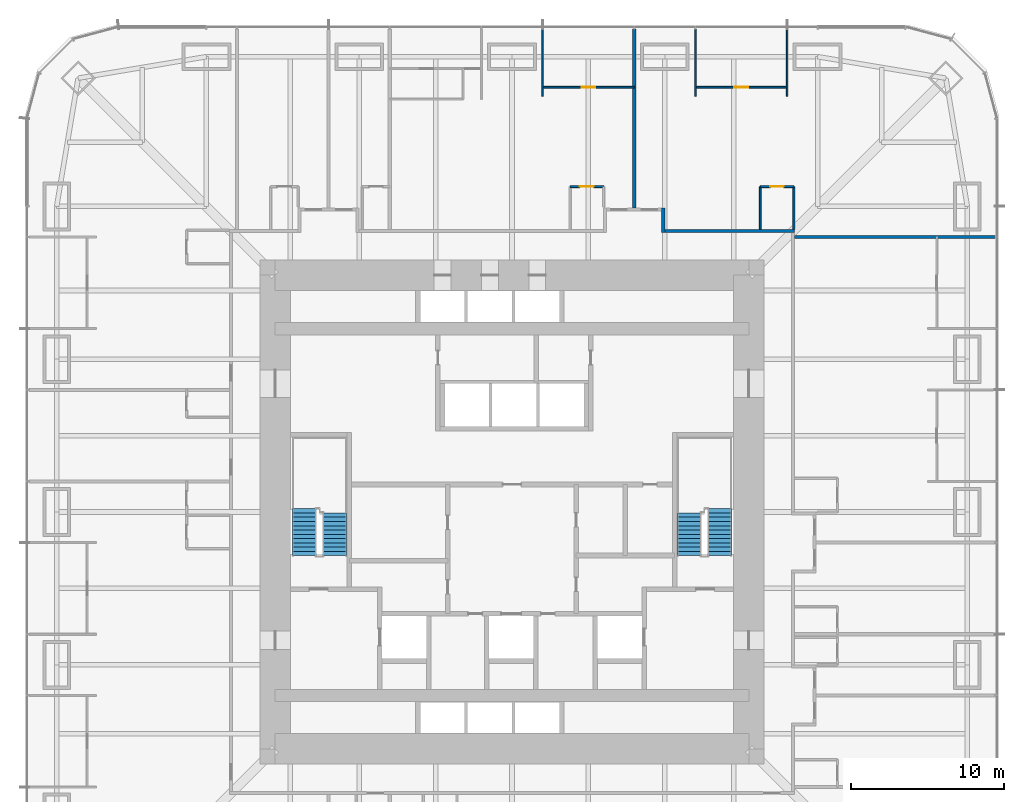
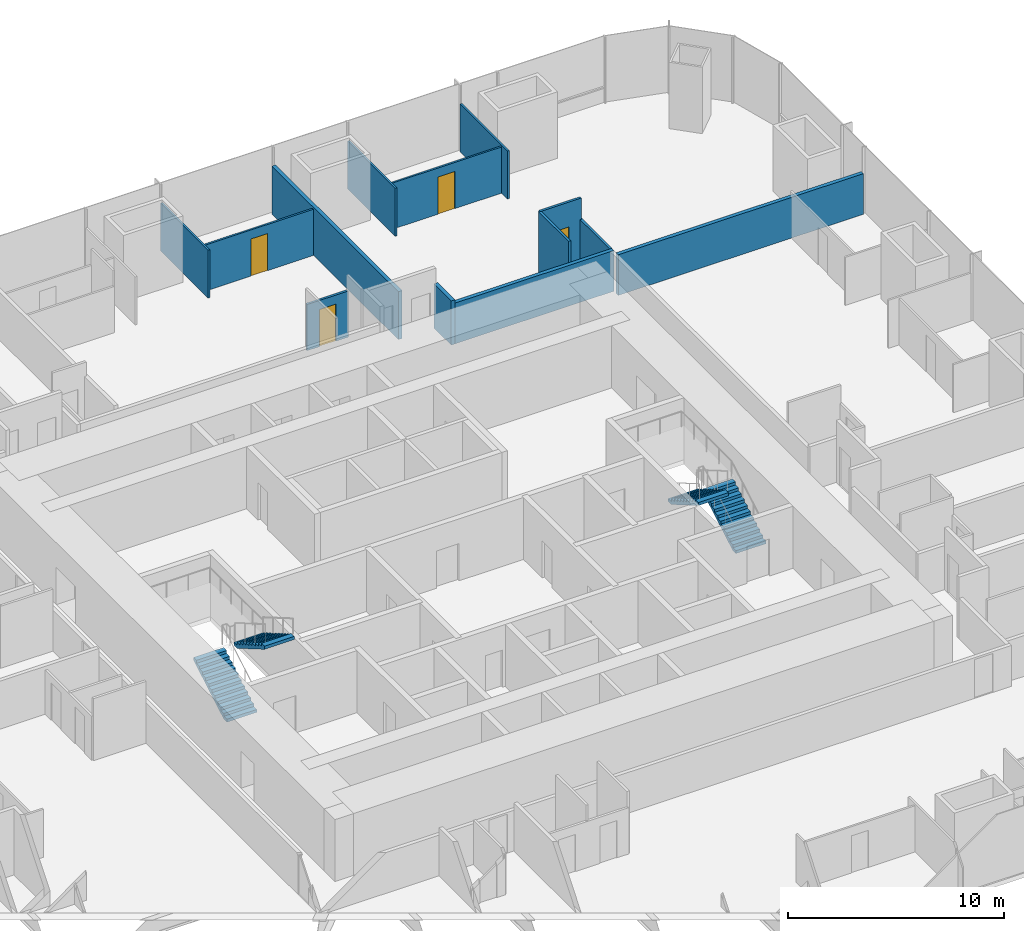
# One storey, part 16 of 17: 13 walls, 4 doors, 4 stair flights, 4 openings, 2 elements without a shape of their own.
"""IFC4 building model written with IfcOpenShell, lengths in metres."""

from ifc_helpers import new_model, si_unit, direction, frame, frame_2d, origin, place, context, subcontext, project, spatial, polyline, rectangle, outline, extrude, material, layer, layer_set, type_object, element, fill, aggregate, save


model = new_model("IFC4")

# Units and contexts
model_context = context("Model", 3, precision=1e-05, world=origin(), true_north=direction((0.0, 1.0)))
body_context = subcontext(model_context, "Body", "Model", "MODEL_VIEW")
ifc_project = project(units=[si_unit("LENGTHUNIT", "METRE"), si_unit("AREAUNIT", "SQUARE_METRE"), si_unit("VOLUMEUNIT", "CUBIC_METRE"), si_unit("PLANEANGLEUNIT", "RADIAN"), si_unit("MASSUNIT", "GRAM", prefix="KILO")], contexts=[model_context])

# Site, building, storey
site_placement = place(None, origin())
site = spatial("IfcSite", under=ifc_project, at=site_placement, CompositionType="ELEMENT")
building_placement = place(site_placement, origin())
building = spatial("IfcBuilding", under=site, at=building_placement, Name="Khuree Lantern Residences", CompositionType="ELEMENT")
storey_placement = place(building_placement, frame((0.0, 0.0, 36.0)))
storey = spatial("IfcBuildingStorey", under=building, at=storey_placement, Name="L08", CompositionType="ELEMENT", Elevation=36.0)

# Wall, opening, door
ifc_material_1 = material(Name="Moisture-resistant gypsum board on steel studs", Category="steel")
ifc_layer_1 = layer(ifc_material_1, 0.125)
ifc_layer_set_1 = layer_set([ifc_layer_1], Name="BATHROOM WALL BTW125")
wall_type_1 = type_object("IfcWallType", Name="BATHROOM WALL BTW125", PredefinedType="PARTITIONING", material=ifc_layer_set_1)
wall_1_placement = place(storey_placement, frame((18.449951171875, 21.300048828125, 0.0), z_axis=(0.0, 0.0, 1.0), x_axis=(-1.0, 0.0, 0.0)))
wall_1 = element("IfcWall", 1, at=wall_1_placement, inside=storey, type_object=wall_type_1, Name="L08 BATHROOM WALL 03", PredefinedType="PARTITIONING", context=body_context, shape_type="SweptSolid", body=[
    extrude(rectangle(XDim=2.199951171875, YDim=0.125, at=frame_2d((1.10009765625, 0.0))), origin(), (0.0, 0.0, 1.0), 3.5),
])
opening_1_placement = place(wall_1_placement, frame((0.64990234375, 0.0, 0.0)))
opening_1 = element("IfcOpeningElement", 2, at=opening_1_placement, cuts=wall_1, Name="Opening 08-030", PredefinedType="OPENING", context=body_context, shape_type="SweptSolid", body=[
    extrude(rectangle(XDim=0.89990234375, YDim=2.10009765625, at=frame_2d((0.449951171875, 1.050048828125))), frame((0.0, 0.072509765625, 0.0), z_axis=(0.0, -1.0, 0.0), x_axis=(1.0, 0.0, 0.0)), (0.0, 0.0, 1.0), 0.14501953125),
])
ifc_material_2 = material(Name="Timber door leaf in hardwood frame", Category="wood")
door_type_1 = type_object("IfcDoorType", Name="BATHROOM DOOR 900X2100", OperationType="SINGLE_SWING_LEFT", PredefinedType="DOOR", material=ifc_material_2)
door_1_placement = place(opening_1_placement, origin())
door_1 = element("IfcDoor", 3, at=door_1_placement, inside=storey, type_object=door_type_1, Name="Bathroom door 08-030", OperationType="SINGLE_SWING_LEFT", OverallHeight=2.10009765625, OverallWidth=0.89990234375, PredefinedType="DOOR", context=body_context, shape_type="SweptSolid", body=[
    extrude(rectangle(XDim=0.89990234375, YDim=2.10009765625, at=frame_2d((0.449951171875, 1.050048828125))), frame((0.0, 0.02490234375, 0.0), z_axis=(0.0, -1.0, 0.0), x_axis=(1.0, 0.0, 0.0)), (0.0, 0.0, 1.0), 0.050048828125),
])
fill(opening_1, door_1)

# Walls
wall_2_placement = place(storey_placement, frame((18.449951171875, 18.5, 0.0), z_axis=(0.0, 0.0, 1.0), x_axis=(0.0, 1.0, 0.0)))
element("IfcWall", 4, at=wall_2_placement, inside=storey, type_object=wall_type_1, Name="L08 BATHROOM WALL 03", PredefinedType="PARTITIONING", context=body_context, shape_type="SweptSolid", body=[
    extrude(rectangle(XDim=2.800048828125, YDim=0.125, at=frame_2d((1.39990234375, 0.0))), origin(), (0.0, 0.0, 1.0), 2.300048828125),
])
wall_3_placement = place(storey_placement, frame((16.25, 18.5, 0.0), z_axis=(0.0, 0.0, 1.0), x_axis=(0.0, 1.0, 0.0)))
element("IfcWall", 5, at=wall_3_placement, inside=storey, type_object=wall_type_1, Name="L08 BATHROOM WALL 03", PredefinedType="PARTITIONING", context=body_context, shape_type="SweptSolid", body=[
    extrude(rectangle(XDim=2.800048828125, YDim=0.125, at=frame_2d((1.39990234375, 0.0))), origin(), (0.0, 0.0, 1.0), 3.5),
])

# Wall, opening, door
wall_4_placement = place(storey_placement, frame((6.0, 21.300048828125, 0.0), z_axis=(0.0, 0.0, 1.0), x_axis=(-1.0, 0.0, 0.0)))
wall_4 = element("IfcWall", 6, at=wall_4_placement, inside=storey, type_object=wall_type_1, Name="L08 BATHROOM WALL 04", PredefinedType="PARTITIONING", context=body_context, shape_type="SweptSolid", body=[
    extrude(rectangle(XDim=2.199951171875, YDim=0.125, at=frame_2d((1.10009765625, 0.0))), origin(), (0.0, 0.0, 1.0), 2.610107421875),
])
opening_2_placement = place(wall_4_placement, frame((0.64990234375, 0.0, 0.0)))
opening_2 = element("IfcOpeningElement", 7, at=opening_2_placement, cuts=wall_4, Name="Opening 08-035", PredefinedType="OPENING", context=body_context, shape_type="SweptSolid", body=[
    extrude(rectangle(XDim=0.89990234375, YDim=2.10009765625, at=frame_2d((0.449951171875, 1.050048828125))), frame((0.0, 0.072509765625, 0.0), z_axis=(0.0, -1.0, 0.0), x_axis=(1.0, 0.0, 0.0)), (0.0, 0.0, 1.0), 0.14501953125),
])
door_2_placement = place(opening_2_placement, origin())
door_2 = element("IfcDoor", 8, at=door_2_placement, inside=storey, type_object=door_type_1, Name="Bathroom door 08-035", OperationType="SINGLE_SWING_LEFT", OverallHeight=2.10009765625, OverallWidth=0.89990234375, PredefinedType="DOOR", context=body_context, shape_type="SweptSolid", body=[
    extrude(rectangle(XDim=0.89990234375, YDim=2.10009765625, at=frame_2d((0.449951171875, 1.050048828125))), frame((0.0, 0.02490234375, 0.0), z_axis=(0.0, -1.0, 0.0), x_axis=(1.0, 0.0, 0.0)), (0.0, 0.0, 1.0), 0.050048828125),
])
fill(opening_2, door_2)

# Walls
ifc_material_3 = material(Name="Gypsum board on steel studs", Category="steel")
ifc_layer_2 = layer(ifc_material_3, 0.199951171875)
ifc_layer_set_2 = layer_set([ifc_layer_2], Name="CORRIDOR WALL CRW200 EI 60")
wall_type_2 = type_object("IfcWallType", Name="CORRIDOR WALL CRW200 EI 60", PredefinedType="PARTITIONING", material=ifc_layer_set_2)
wall_5_placement = place(storey_placement, frame((9.89990234375, 18.300048828125, 0.0), z_axis=(0.0, 0.0, 1.0), x_axis=(0.0, 1.0, 0.0)))
element("IfcWall", 9, at=wall_5_placement, inside=storey, type_object=wall_type_2, Name="L08 CORRIDOR ALCOVE WALL NORTH", PredefinedType="PARTITIONING", context=body_context, shape_type="SweptSolid", body=[
    extrude(rectangle(XDim=1.599853515625, YDim=0.199951171875, at=frame_2d((0.7998046875, 0.0))), origin(), (0.0, 0.0, 1.0), 2.491943359375),
])
wall_6_placement = place(storey_placement, frame((10.0, 18.39990234375, 0.0), z_axis=(0.0, 0.0, 1.0), x_axis=(1.0, 0.0, 0.0)))
element("IfcWall", 10, at=wall_6_placement, inside=storey, type_object=wall_type_2, Name="L08 CORRIDOR WALL NORTH 3", PredefinedType="PARTITIONING", context=body_context, shape_type="SweptSolid", body=[
    extrude(rectangle(XDim=8.5, YDim=0.199951171875, at=frame_2d((4.25, 0.0))), origin(), (0.0, 0.0, 1.0), 2.300048828125),
])
ifc_layer_3 = layer(ifc_material_3, 0.199951171875)
ifc_layer_set_3 = layer_set([ifc_layer_3], Name="DEMISING WALL DMW200 EI 90")
wall_type_3 = type_object("IfcWallType", Name="DEMISING WALL DMW200 EI 90", PredefinedType="PARTITIONING", material=ifc_layer_set_3)
wall_7_placement = place(storey_placement, frame((18.5, 18.0, 0.0), z_axis=(0.0, 0.0, 1.0), x_axis=(1.0, 0.0, 0.0)))
element("IfcWall", 11, at=wall_7_placement, inside=storey, type_object=wall_type_3, Name="L08 DEMISING WALL 03", PredefinedType="PARTITIONING", context=body_context, shape_type="SweptSolid", body=[
    extrude(rectangle(XDim=13.10009765625, YDim=0.199951171875, at=frame_2d((6.550048828125, 0.0))), origin(), (0.0, 0.0, 1.0), 2.300048828125),
])
wall_8_placement = place(storey_placement, frame((8.0, 19.89990234375, 0.0), z_axis=(0.0, 0.0, 1.0), x_axis=(0.0, 1.0, 0.0)))
element("IfcWall", 12, at=wall_8_placement, inside=storey, type_object=wall_type_3, Name="L08 DEMISING WALL 04", PredefinedType="PARTITIONING", context=body_context, shape_type="SweptSolid", body=[
    extrude(rectangle(XDim=11.7001953125, YDim=0.199951171875, at=frame_2d((5.85009765625, 0.0))), origin(), (0.0, 0.0, 1.0), 2.7099609375),
])
ifc_layer_4 = layer(ifc_material_3, 0.10009765625)
ifc_layer_set_4 = layer_set([ifc_layer_4], Name="PARTITION PT100")
wall_type_4 = type_object("IfcWallType", Name="PARTITION PT100", PredefinedType="PARTITIONING", material=ifc_layer_set_4)
for number, where, z_axis, x_axis, name in (
    (13, (18.0, 27.199951171875, 0.0), (0.0, 0.0, 1.0), (0.0, 1.0, 0.0), "L08 PARTITION 03"),
    (14, (12.0, 27.199951171875, 0.0), (0.0, 0.0, 1.0), (0.0, 1.0, 0.0), "L08 PARTITION 03"),
    (15, (2.0, 27.199951171875, 0.0), (0.0, 0.0, 1.0), (0.0, 1.0, 0.0), "L08 PARTITION 04"),
):
    element("IfcWall", number, at=place(storey_placement, frame(where, z_axis=z_axis, x_axis=x_axis)), inside=storey, type_object=wall_type_4, Name=name, PredefinedType="PARTITIONING", context=body_context, shape_type="SweptSolid", body=[
        extrude(rectangle(XDim=4.400146484375, YDim=0.10009765625, at=frame_2d((2.2001953125, 0.0))), origin(), (0.0, 0.0, 1.0), 2.7099609375),
    ])

# Wall, opening, door
wall_9_placement = place(storey_placement, frame((18.0, 27.800048828125, 0.0), z_axis=(0.0, 0.0, 1.0), x_axis=(-1.0, 0.0, 0.0)))
wall_9 = element("IfcWall", 16, at=wall_9_placement, inside=storey, type_object=wall_type_4, Name="L08 PARTITION 03", PredefinedType="PARTITIONING", context=body_context, shape_type="SweptSolid", body=[
    extrude(rectangle(XDim=6.0, YDim=0.10009765625, at=frame_2d((3.0, 0.0))), origin(), (0.0, 0.0, 1.0), 2.610107421875),
])
opening_3_placement = place(wall_9_placement, frame((2.550048828125, 0.0, 0.0)))
opening_3 = element("IfcOpeningElement", 17, at=opening_3_placement, cuts=wall_9, Name="Opening 08-029", PredefinedType="OPENING", context=body_context, shape_type="SweptSolid", body=[
    extrude(rectangle(XDim=0.89990234375, YDim=2.10009765625, at=frame_2d((0.449951171875, 1.050048828125))), frame((0.0, 0.06005859375, 0.0), z_axis=(0.0, -1.0, 0.0), x_axis=(1.0, 0.0, 0.0)), (0.0, 0.0, 1.0), 0.1201171875),
])
door_type_2 = type_object("IfcDoorType", Name="BEDROOM DOOR 900X2100", OperationType="SINGLE_SWING_LEFT", PredefinedType="DOOR", material=ifc_material_2)
door_3_placement = place(opening_3_placement, origin())
door_3 = element("IfcDoor", 18, at=door_3_placement, inside=storey, type_object=door_type_2, Name="Bedroom door 08-029", OperationType="SINGLE_SWING_LEFT", OverallHeight=2.10009765625, OverallWidth=0.89990234375, PredefinedType="DOOR", context=body_context, shape_type="SweptSolid", body=[
    extrude(rectangle(XDim=0.89990234375, YDim=2.10009765625, at=frame_2d((0.449951171875, 1.050048828125))), frame((0.0, 0.02490234375, 0.0), z_axis=(0.0, -1.0, 0.0), x_axis=(1.0, 0.0, 0.0)), (0.0, 0.0, 1.0), 0.050048828125),
])
fill(opening_3, door_3)

wall_10_placement = place(storey_placement, frame((8.0, 27.800048828125, 0.0), z_axis=(0.0, 0.0, 1.0), x_axis=(-1.0, 0.0, 0.0)))
wall_10 = element("IfcWall", 19, at=wall_10_placement, inside=storey, type_object=wall_type_4, Name="L08 PARTITION 04", PredefinedType="PARTITIONING", context=body_context, shape_type="SweptSolid", body=[
    extrude(rectangle(XDim=6.0, YDim=0.10009765625, at=frame_2d((3.0, 0.0))), origin(), (0.0, 0.0, 1.0), 2.610107421875),
])
opening_4_placement = place(wall_10_placement, frame((2.550048828125, 0.0, 0.0)))
opening_4 = element("IfcOpeningElement", 20, at=opening_4_placement, cuts=wall_10, Name="Opening 08-032", PredefinedType="OPENING", context=body_context, shape_type="SweptSolid", body=[
    extrude(rectangle(XDim=0.89990234375, YDim=2.10009765625, at=frame_2d((0.449951171875, 1.050048828125))), frame((0.0, 0.06005859375, 0.0), z_axis=(0.0, -1.0, 0.0), x_axis=(1.0, 0.0, 0.0)), (0.0, 0.0, 1.0), 0.1201171875),
])
door_4_placement = place(opening_4_placement, origin())
door_4 = element("IfcDoor", 21, at=door_4_placement, inside=storey, type_object=door_type_2, Name="Bedroom door 08-032", OperationType="SINGLE_SWING_LEFT", OverallHeight=2.10009765625, OverallWidth=0.89990234375, PredefinedType="DOOR", context=body_context, shape_type="SweptSolid", body=[
    extrude(rectangle(XDim=0.89990234375, YDim=2.10009765625, at=frame_2d((0.449951171875, 1.050048828125))), frame((0.0, 0.02490234375, 0.0), z_axis=(0.0, -1.0, 0.0), x_axis=(1.0, 0.0, 0.0)), (0.0, 0.0, 1.0), 0.050048828125),
])
fill(opening_4, door_4)

# Stair, stair flights
ifc_material_4 = material(Name="Concrete C40/50", Category="concrete")
stair_type = type_object("IfcStairType", Name="STAIR ST1 HALF TURN 3600", PredefinedType="HALF_TURN_STAIR", material=ifc_material_4)
stair_1_placement = place(storey_placement, origin())
stair_1 = element("IfcStair", 22, at=stair_1_placement, inside=storey, type_object=stair_type, Name="Stair ST1", PredefinedType="HALF_TURN_STAIR")
stair_flight_type = type_object("IfcStairFlightType", Name="STAIR FLIGHT SF1 1600", PredefinedType="STRAIGHT", material=ifc_material_4)
stair_flight_1_placement = place(storey_placement, frame((-13.60009765625, -2.860107421875, 0.0), z_axis=(0.0, 0.0, 1.0), x_axis=(0.0, 1.0, 0.0)))
stair_flight_1 = element("IfcStairFlight", 23, at=stair_flight_1_placement, type_object=stair_flight_type, Name="ST1 flight 1", NumberOfRisers=12, NumberOfTreads=11, PredefinedType="STRAIGHT", RiserHeight=0.163043478, TreadLength=0.28, context=body_context, shape_type="SweptSolid", body=[
    extrude(outline(polyline([(0.0, 0.0), (0.0, 0.1630859375), (0.280029296875, 0.1630859375), (0.280029296875, 0.326171875), (0.56005859375, 0.326171875), (0.56005859375, 0.489013671875), (0.840087890625, 0.489013671875), (0.840087890625, 0.652099609375), (1.1201171875, 0.652099609375), (1.1201171875, 0.815185546875), (1.39990234375, 0.815185546875), (1.39990234375, 0.978271484375), (1.679931640625, 0.978271484375), (1.679931640625, 1.141357421875), (1.9599609375, 1.141357421875), (1.9599609375, 1.304443359375), (2.239990234375, 1.304443359375), (2.239990234375, 1.46728515625), (2.52001953125, 1.46728515625), (2.52001953125, 1.63037109375), (2.800048828125, 1.63037109375), (2.800048828125, 1.79345703125), (3.080078125, 1.79345703125), (3.080078125, 1.95654296875), (3.080078125, 1.6201171875), (0.2978515625, 0.0), (0.0, 0.0)])), frame((0.0, 0.800048828125, 0.0), z_axis=(0.0, -1.0, 0.0), x_axis=(1.0, 0.0, 0.0)), (0.0, 0.0, 1.0), 1.60009765625),
])
stair_flight_2_placement = place(storey_placement, frame((-11.60009765625, -0.06005859375, 1.95654296875), z_axis=(0.0, 0.0, 1.0), x_axis=(0.0, -1.0, 0.0)))
stair_flight_2 = element("IfcStairFlight", 24, at=stair_flight_2_placement, type_object=stair_flight_type, Name="ST1 flight 2", NumberOfRisers=11, NumberOfTreads=10, PredefinedType="STRAIGHT", RiserHeight=0.163043478, TreadLength=0.28, context=body_context, shape_type="SweptSolid", body=[
    extrude(outline(polyline([(0.0, 0.0), (0.0, 0.1630859375), (0.280029296875, 0.1630859375), (0.280029296875, 0.326171875), (0.56005859375, 0.326171875), (0.56005859375, 0.489013671875), (0.840087890625, 0.489013671875), (0.840087890625, 0.652099609375), (1.1201171875, 0.652099609375), (1.1201171875, 0.815185546875), (1.39990234375, 0.815185546875), (1.39990234375, 0.978271484375), (1.679931640625, 0.978271484375), (1.679931640625, 1.141357421875), (1.9599609375, 1.141357421875), (1.9599609375, 1.304443359375), (2.239990234375, 1.304443359375), (2.239990234375, 1.46728515625), (2.52001953125, 1.46728515625), (2.52001953125, 1.63037109375), (2.800048828125, 1.63037109375), (2.800048828125, 1.79345703125), (2.800048828125, 1.45703125), (0.2978515625, 0.0), (0.0, 0.0)])), frame((0.0, 0.800048828125, 0.0), z_axis=(0.0, -1.0, 0.0), x_axis=(1.0, 0.0, 0.0)), (0.0, 0.0, 1.0), 1.60009765625),
])
aggregate(stair_1, [stair_flight_1, stair_flight_2])

stair_2_placement = place(storey_placement, origin())
stair_2 = element("IfcStair", 25, at=stair_2_placement, inside=storey, type_object=stair_type, Name="Stair ST2", PredefinedType="HALF_TURN_STAIR")
stair_flight_3_placement = place(storey_placement, frame((13.60009765625, -2.860107421875, 0.0), z_axis=(0.0, 0.0, 1.0), x_axis=(0.0, 1.0, 0.0)))
stair_flight_3 = element("IfcStairFlight", 26, at=stair_flight_3_placement, type_object=stair_flight_type, Name="ST2 flight 1", NumberOfRisers=12, NumberOfTreads=11, PredefinedType="STRAIGHT", RiserHeight=0.163043478, TreadLength=0.28, context=body_context, shape_type="SweptSolid", body=[
    extrude(outline(polyline([(0.0, 0.0), (0.0, 0.1630859375), (0.280029296875, 0.1630859375), (0.280029296875, 0.326171875), (0.56005859375, 0.326171875), (0.56005859375, 0.489013671875), (0.840087890625, 0.489013671875), (0.840087890625, 0.652099609375), (1.1201171875, 0.652099609375), (1.1201171875, 0.815185546875), (1.39990234375, 0.815185546875), (1.39990234375, 0.978271484375), (1.679931640625, 0.978271484375), (1.679931640625, 1.141357421875), (1.9599609375, 1.141357421875), (1.9599609375, 1.304443359375), (2.239990234375, 1.304443359375), (2.239990234375, 1.46728515625), (2.52001953125, 1.46728515625), (2.52001953125, 1.63037109375), (2.800048828125, 1.63037109375), (2.800048828125, 1.79345703125), (3.080078125, 1.79345703125), (3.080078125, 1.95654296875), (3.080078125, 1.6201171875), (0.2978515625, 0.0), (0.0, 0.0)])), frame((0.0, 0.800048828125, 0.0), z_axis=(0.0, -1.0, 0.0), x_axis=(1.0, 0.0, 0.0)), (0.0, 0.0, 1.0), 1.60009765625),
])
stair_flight_4_placement = place(storey_placement, frame((11.60009765625, -0.06005859375, 1.95654296875), z_axis=(0.0, 0.0, 1.0), x_axis=(0.0, -1.0, 0.0)))
stair_flight_4 = element("IfcStairFlight", 27, at=stair_flight_4_placement, type_object=stair_flight_type, Name="ST2 flight 2", NumberOfRisers=11, NumberOfTreads=10, PredefinedType="STRAIGHT", RiserHeight=0.163043478, TreadLength=0.28, context=body_context, shape_type="SweptSolid", body=[
    extrude(outline(polyline([(0.0, 0.0), (0.0, 0.1630859375), (0.280029296875, 0.1630859375), (0.280029296875, 0.326171875), (0.56005859375, 0.326171875), (0.56005859375, 0.489013671875), (0.840087890625, 0.489013671875), (0.840087890625, 0.652099609375), (1.1201171875, 0.652099609375), (1.1201171875, 0.815185546875), (1.39990234375, 0.815185546875), (1.39990234375, 0.978271484375), (1.679931640625, 0.978271484375), (1.679931640625, 1.141357421875), (1.9599609375, 1.141357421875), (1.9599609375, 1.304443359375), (2.239990234375, 1.304443359375), (2.239990234375, 1.46728515625), (2.52001953125, 1.46728515625), (2.52001953125, 1.63037109375), (2.800048828125, 1.63037109375), (2.800048828125, 1.79345703125), (2.800048828125, 1.45703125), (0.2978515625, 0.0), (0.0, 0.0)])), frame((0.0, 0.800048828125, 0.0), z_axis=(0.0, -1.0, 0.0), x_axis=(1.0, 0.0, 0.0)), (0.0, 0.0, 1.0), 1.60009765625),
])
aggregate(stair_2, [stair_flight_3, stair_flight_4])

save(model, "model.ifc")
